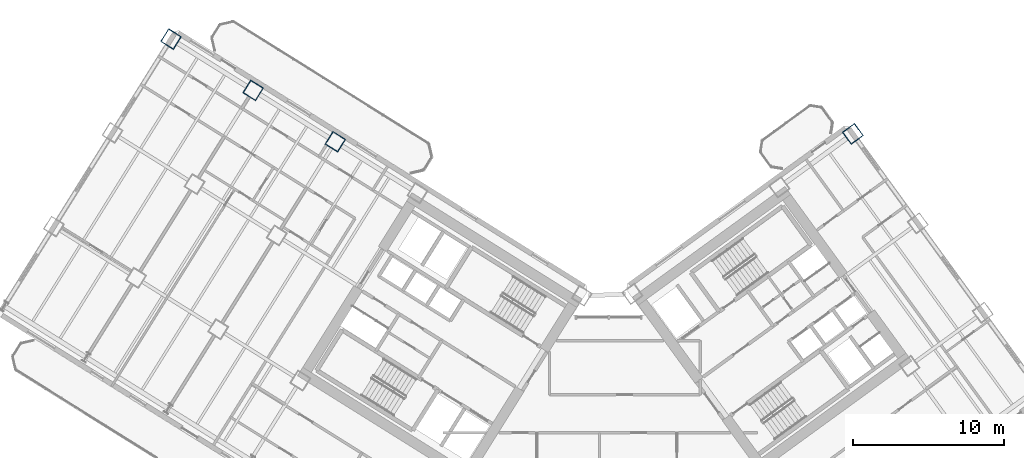
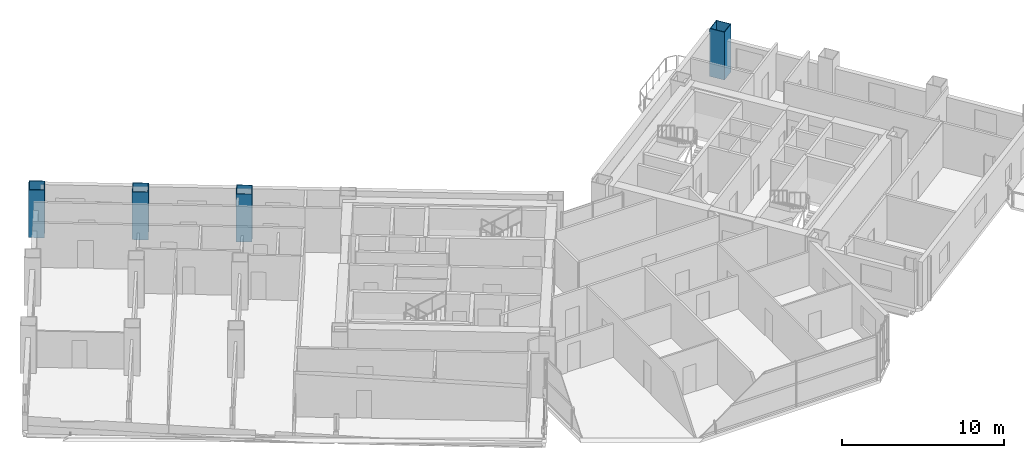
# One storey, part 3 of 24: 4 columns.
"""IFC4 building model written with IfcOpenShell, lengths in metres."""

from ifc_helpers import new_model, si_unit, direction, frame, origin, origin_2d, place, context, subcontext, project, spatial, hollow_rectangle, extrude, source, transform, mapped, material, material_profile, profile_set, type_object, element, save


model = new_model("IFC4")

# Units and contexts
model_context = context("Model", 3, precision=1e-05, world=origin(), true_north=direction((0.0, 1.0)))
body_context = subcontext(model_context, "Body", "Model", "MODEL_VIEW")
ifc_project = project(units=[si_unit("LENGTHUNIT", "METRE"), si_unit("AREAUNIT", "SQUARE_METRE"), si_unit("VOLUMEUNIT", "CUBIC_METRE"), si_unit("PLANEANGLEUNIT", "RADIAN"), si_unit("MASSUNIT", "GRAM", prefix="KILO")], contexts=[model_context])

# Site, building, storey
site_placement = place(None, origin())
site = spatial("IfcSite", under=ifc_project, at=site_placement, CompositionType="ELEMENT")
building_placement = place(site_placement, origin())
building = spatial("IfcBuilding", under=site, at=building_placement, Name="Tlacorven Tower", CompositionType="ELEMENT")
storey_placement = place(building_placement, frame((0.0, 0.0, 38.39990234375)))
storey = spatial("IfcBuildingStorey", under=building, at=storey_placement, Name="L09", CompositionType="ELEMENT", Elevation=38.39990234375)

# Columns
ifc_material = material(Name="Steel S460M", Category="steel")
ifc_material_profile = material_profile(ifc_material, hollow_rectangle(XDim=1.0, YDim=1.0, WallThickness=0.0400390625, at=origin_2d()), Name="BOX 1000X1000X40")
ifc_profile_set = profile_set([ifc_material_profile], Name="Steel S460M")
column_type = type_object("IfcColumnType", Name="COL-TWR-S1", PredefinedType="COLUMN", material=ifc_profile_set)
shared_shape = source(origin(), body_context, "Body", "SweptSolid", [
    extrude(hollow_rectangle(XDim=1.0, YDim=1.0, WallThickness=0.0400390625, at=origin_2d()), origin(), (0.0, 0.0, 1.0), 3.60009765625),
])
for number, where, z_axis, x_axis, name in (
    (1, (24.50048828125, 34.642822265625, 0.0), (0.0, 0.0, 1.0), (-0.848048096156, 0.529919264233, 0.0), "L09 column COL-L09-W4-1"),
    (2, (19.072998046875, 38.034423828125, 0.0), (0.0, 0.0, 1.0), (-0.848048096156, 0.529919264233, 0.0), "L09 column COL-L09-W5-1"),
    (3, (13.6455078125, 41.42578125, 0.0), (0.0, 0.0, 1.0), (-0.848048096156, 0.529919264233, 0.0), "L09 column COL-L09-W6-1"),
    (4, (58.68603515625, 35.165283203125, 0.0), (0.0, 0.0, 1.0), (0.809016994375, 0.587785252292, 0.0), "L09 column COL-L09-E4-4"),
):
    element("IfcColumn", number, at=place(storey_placement, frame(where, z_axis=z_axis, x_axis=x_axis)), inside=storey, type_object=column_type, Name=name, PredefinedType="COLUMN", context=body_context, shape_type="MappedRepresentation", body=[
        mapped(shared_shape, transform((0.0, 0.0, 0.0), scale=1.0)),
    ])

save(model, "model.ifc")
